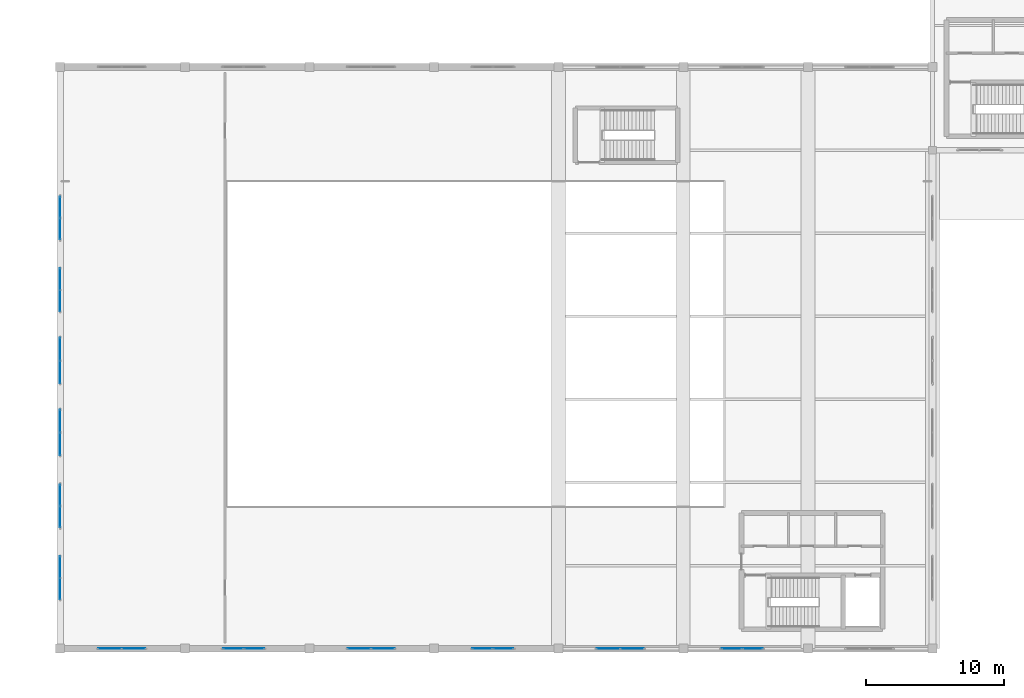
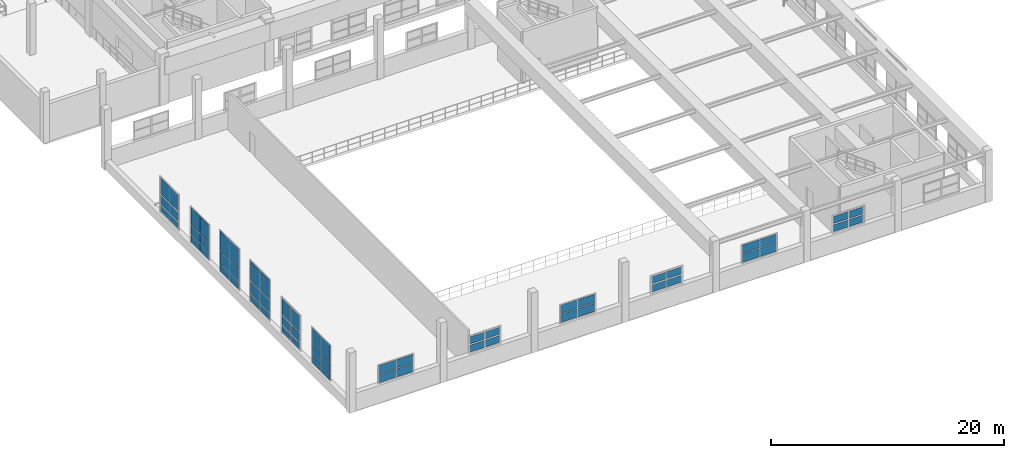
# One storey, part 154 of 197: 60 plates, 12 elements without a shape of their own.
"""IFC4 building model written with IfcOpenShell, lengths in metres."""

import ifcopenshell
import ifcopenshell.guid

model = None  # the IFC model being written
_history = None  # IfcOwnerHistory: only IFC2X3 demands one
_inside = {}  # id of a spatial element -> (the spatial element, [elements in it])
_under = {}  # id of a project, library or spatial element -> (it, [spatial elements below it])
_declared = {}  # id of a project -> (the project, [libraries it declares])
_typed = {}  # id of a type object -> (the type object, [elements of that type])
_made_of = {}  # id of a material, layer set ... -> (it, [elements and type objects made of it])


def new_model(schema):
    """Start an empty IFC model of exactly this schema.

    Asked for "IFC4X3", IfcOpenShell would pick the latest addendum, in which some entities
    have other attributes; the version numbers below select the first issue.
    IFC2X3 requires an IfcOwnerHistory on every rooted entity: one is made here for all.
    """
    global model, _history
    if schema == "IFC4X3":
        model = ifcopenshell.file(schema_version=(4, 3, 0, 0))
    else:
        model = ifcopenshell.file(schema=schema)
    _inside.clear()
    _under.clear()
    _declared.clear()
    _typed.clear()
    _made_of.clear()
    _history = None
    if model.schema == "IFC2X3":
        org = make("IfcOrganization", Name="unknown")
        user = make(
            "IfcPersonAndOrganization",
            ThePerson=make("IfcPerson", FamilyName="unknown"),
            TheOrganization=org,
        )
        app = make(
            "IfcApplication",
            ApplicationDeveloper=org,
            Version="unknown",
            ApplicationFullName="unknown",
            ApplicationIdentifier="unknown",
        )
        _history = make(
            "IfcOwnerHistory",
            OwningUser=user,
            OwningApplication=app,
            ChangeAction="ADDED",
            CreationDate=0,
        )
    return model


def make(cls, **values):
    """One entity of the class cls with the attributes given. An attribute that is None is left unset."""
    return model.create_entity(
        cls, **{name: value for name, value in values.items() if value is not None}
    )


def rooted(cls, **values):
    """An entity with a GlobalId (a new one), such as an element, a storey or a relation."""
    return make(cls, GlobalId=ifcopenshell.guid.new(), OwnerHistory=_history, **values)


def si_unit(unit_type, name, prefix=None):
    """IfcSIUnit, for example si_unit("LENGTHUNIT", "METRE", prefix="MILLI")."""
    return make("IfcSIUnit", UnitType=unit_type, Prefix=prefix, Name=name)


def derived_unit(unit_type, elements):
    """IfcDerivedUnit: a product of units, each with its exponent."""
    return make(
        "IfcDerivedUnit",
        Elements=[
            make("IfcDerivedUnitElement", Unit=unit, Exponent=power)
            for unit, power in elements
        ],
        UnitType=unit_type,
    )


def assignment(units):
    """IfcUnitAssignment: the units of a project."""
    return None if units is None else make("IfcUnitAssignment", Units=units)


def point(xyz):
    """IfcCartesianPoint."""
    return None if xyz is None else make("IfcCartesianPoint", Coordinates=xyz)


def direction(xyz):
    """IfcDirection."""
    return None if xyz is None else make("IfcDirection", DirectionRatios=xyz)


def frame(location, z_axis=None, x_axis=None):
    """IfcAxis2Placement3D, a coordinate frame: its origin and axes. An axis left out is left unset."""
    return make(
        "IfcAxis2Placement3D",
        Location=point(location),
        Axis=direction(z_axis),
        RefDirection=direction(x_axis),
    )


def frame_2d(location, x_axis=None):
    """IfcAxis2Placement2D, a coordinate frame in the plane: its origin and x axis."""
    return make(
        "IfcAxis2Placement2D", Location=point(location), RefDirection=direction(x_axis)
    )


def origin():
    """The frame at (0, 0, 0) with its axes left unset."""
    return frame((0.0, 0.0, 0.0))


def origin_2d():
    """The frame at (0, 0) in the plane with its x axis left unset."""
    return frame_2d((0.0, 0.0))


def place(relative_to, where):
    """IfcLocalPlacement: puts the frame where relative to a parent placement (None: the world)."""
    return make(
        "IfcLocalPlacement", PlacementRelTo=relative_to, RelativePlacement=where
    )


def context(
    kind, dimensions, precision=None, world=None, true_north=None, identifier=None
):
    """IfcGeometricRepresentationContext, for example the 3D "Model" context."""
    return make(
        "IfcGeometricRepresentationContext",
        ContextIdentifier=identifier,
        ContextType=kind,
        CoordinateSpaceDimension=dimensions,
        Precision=precision,
        WorldCoordinateSystem=world,
        TrueNorth=true_north,
    )


def subcontext(parent, identifier, kind, view, scale=None):
    """IfcGeometricRepresentationSubContext, for example "Body" below "Model"."""
    return make(
        "IfcGeometricRepresentationSubContext",
        ContextIdentifier=identifier,
        ContextType=kind,
        ParentContext=parent,
        TargetScale=scale,
        TargetView=view,
    )


def project(units=None, contexts=None):
    """IfcProject with its units and contexts."""
    return rooted(
        "IfcProject",
        Name="project",
        RepresentationContexts=contexts,
        UnitsInContext=assignment(units),
    )


def spatial(cls, under=None, at=None, **own):
    """A site, building, storey or space (cls), placed at a placement, below another one or the project."""
    s = rooted(cls, ObjectPlacement=at, **own)
    if under is not None:
        _under.setdefault(under.id(), (under, []))[1].append(s)
    return s


def profile(cls, at=None, kind="AREA", **sizes):
    """A parametric profile (cls). Its sizes go by their IFC names, for example OverallWidth=200.0."""
    return make(cls, ProfileType=kind, Position=at, **sizes)


def rectangle(**sizes):
    """IfcRectangleProfileDef."""
    return profile("IfcRectangleProfileDef", **sizes)


def extrude(swept, where, along, depth):
    """IfcExtrudedAreaSolid: the profile swept, set in the frame where, extruded along a direction by depth."""
    return make(
        "IfcExtrudedAreaSolid",
        SweptArea=swept,
        Position=where,
        ExtrudedDirection=direction(along),
        Depth=depth,
    )


def shape(context_of_items, identifier, shape_type, items):
    """IfcShapeRepresentation: the items that make up one representation, for example the "Body"."""
    return make(
        "IfcShapeRepresentation",
        ContextOfItems=context_of_items,
        RepresentationIdentifier=identifier,
        RepresentationType=shape_type,
        Items=items,
    )


def material(Name=None, Category=None):
    """IfcMaterial."""
    return make("IfcMaterial", Name=Name, Category=Category)


def layer(
    of_material, thickness, ventilated=None, Name=None, Category=None, Priority=None
):
    """IfcMaterialLayer: one layer of a wall or slab, of a material (None: an air gap)."""
    return make(
        "IfcMaterialLayer",
        Material=of_material,
        LayerThickness=thickness,
        IsVentilated=ventilated,
        Name=Name,
        Category=Category,
        Priority=Priority,
    )


def layer_set(layers, Name=None):
    """IfcMaterialLayerSet."""
    return make("IfcMaterialLayerSet", MaterialLayers=layers, LayerSetName=Name)


def made_of(thing, what):
    """Note that an element or type object is made of a material, layer set ...; save() writes the relation."""
    if what is not None:
        _made_of.setdefault(what.id(), (what, []))[1].append(thing)
    return thing


def type_object(cls, material=None, **own):
    """A type object (cls), such as IfcWallType, which elements share."""
    return made_of(rooted(cls, **own), material)


def element(
    cls,
    number,
    at=None,
    inside=None,
    cuts=None,
    type_object=None,
    material=None,
    context=None,
    identifier="Body",
    shape_type=None,
    held_by="IfcProductDefinitionShape",
    body=None,
    shapes=None,
    **own,
):
    """One element of the class cls, such as IfcWall. Its Tag is "e" and its number.

    at: its placement. inside: the storey or other place that contains it. cuts: it is an
    opening in that element (IfcRelVoidsElement). A single representation is given by context,
    identifier, shape_type and body (its items); several are given by shapes. held_by: the class
    of the entity that holds the representations. save() writes the other relations.
    """
    e = rooted(cls, Tag="e%d" % number, ObjectPlacement=at, **own)
    if body is not None:
        shapes = [shape(context, identifier, shape_type, body)]
    if shapes is not None:
        e.Representation = make(held_by, Representations=shapes)
    if inside is not None:
        _inside.setdefault(inside.id(), (inside, []))[1].append(e)
    if cuts is not None:
        rooted(
            "IfcRelVoidsElement", RelatingBuildingElement=cuts, RelatedOpeningElement=e
        )
    if type_object is not None:
        _typed.setdefault(type_object.id(), (type_object, []))[1].append(e)
    return made_of(e, material)


def aggregate(whole, parts):
    """IfcRelAggregates: a whole, such as a stair, and the parts it consists of."""
    return rooted("IfcRelAggregates", RelatingObject=whole, RelatedObjects=parts)


def save(model, path):
    """Write the relations noted so far, then the file.

    IfcRelAggregates (storeys below a building ...), IfcRelContainedInSpatialStructure (elements
    in a storey), IfcRelDefinesByType, IfcRelAssociatesMaterial and IfcRelDeclares: one each for
    every whole, place, type object, material and project.
    """
    for whole, parts in _under.values():
        aggregate(whole, parts)
    for where, things in _inside.values():
        rooted(
            "IfcRelContainedInSpatialStructure",
            RelatedElements=things,
            RelatingStructure=where,
        )
    for kind, things in _typed.values():
        rooted("IfcRelDefinesByType", RelatedObjects=things, RelatingType=kind)
    for what, things in _made_of.values():
        rooted("IfcRelAssociatesMaterial", RelatedObjects=things, RelatingMaterial=what)
    for by, libraries in _declared.values():
        rooted("IfcRelDeclares", RelatingContext=by, RelatedDefinitions=libraries)
    model.write(path)


model = new_model("IFC4")

# Units and contexts
model_context = context("Model", 3, precision=1e-05, world=origin(), true_north=direction((0.0, 1.0)))
body_context = subcontext(model_context, "Body", "Model", "MODEL_VIEW")
ifc_project = project(units=[si_unit("LENGTHUNIT", "METRE"), si_unit("AREAUNIT", "SQUARE_METRE"), si_unit("VOLUMEUNIT", "CUBIC_METRE"), si_unit("PLANEANGLEUNIT", "RADIAN"), si_unit("MASSUNIT", "GRAM", prefix="KILO"), derived_unit("THERMALTRANSMITTANCEUNIT", [(si_unit("POWERUNIT", "WATT"), 1), (si_unit("LENGTHUNIT", "METRE"), -2), (si_unit("THERMODYNAMICTEMPERATUREUNIT", "KELVIN"), -1)])], contexts=[model_context])

# Site, building, storey
site_placement = place(None, origin())
site = spatial("IfcSite", under=ifc_project, at=site_placement, CompositionType="ELEMENT")
building_placement = place(site_placement, origin())
building = spatial("IfcBuilding", under=site, at=building_placement, Name="Almenara Railside Exhibition Hall", CompositionType="ELEMENT")
storey_placement = place(building_placement, frame((0.0, 0.0, 5.39990234375)))
storey = spatial("IfcBuildingStorey", under=building, at=storey_placement, Name="L01", CompositionType="ELEMENT", Elevation=5.39990234375)

# Curtain wall, plates
ifc_material_1 = material(Name="Bronze-anodised aluminium and low-E double glazing", Category="aluminium")
ifc_layer_1 = layer(ifc_material_1, 0.179931640625, Name="Bronze-anodised aluminium and low-E double glazing")
ifc_layer_set_1 = layer_set([ifc_layer_1], Name="Bronze-anodised aluminium and low-E double glazing")
curtain_wall_type_1 = type_object("IfcCurtainWallType", Name="Plenary Clerestory Curtain Wall 3100x1900", PredefinedType="NOTDEFINED", material=ifc_layer_set_1)
curtain_wall_1_placement = place(storey_placement, origin())
curtain_wall_1 = element("IfcCurtainWall", 1, at=curtain_wall_1_placement, inside=storey, type_object=curtain_wall_type_1, Name="Curtain wall CW-CL6-095", PredefinedType="NOTDEFINED")
ifc_material_2 = material(Name="Solar-control acoustic laminated glazing", Category="glass")
ifc_layer_2 = layer(ifc_material_2, 0.031982421875, Name="Solar-control acoustic laminated glazing")
ifc_layer_set_2 = layer_set([ifc_layer_2], Name="Solar-control acoustic laminated glazing")
plate_type_1 = type_object("IfcPlateType", Name="Acoustic Low-E Double Glazing Panel 32mm", PredefinedType="CURTAIN_PANEL", material=ifc_layer_set_2)
plate_1_placement = place(storey_placement, frame((15.492431640625, 0.0, 1.994140625), z_axis=(0.0, 0.0, 1.0), x_axis=(1.0, 0.0, 0.0)))
plate_1 = element("IfcPlate", 2, at=plate_1_placement, type_object=plate_type_1, Name="CW-CL6-095 panel 1.1", PredefinedType="CURTAIN_PANEL", context=body_context, shape_type="SweptSolid", body=[
    extrude(rectangle(XDim=1.4609375, YDim=0.031982421875, at=origin_2d()), origin(), (0.0, 0.0, 1.0), 0.741943359375),
])
plate_2_placement = place(storey_placement, frame((15.492431640625, 0.0, 2.8642578125), z_axis=(0.0, 0.0, 1.0), x_axis=(1.0, 0.0, 0.0)))
plate_2 = element("IfcPlate", 3, at=plate_2_placement, type_object=plate_type_1, Name="CW-CL6-095 panel 1.2", PredefinedType="CURTAIN_PANEL", context=body_context, shape_type="SweptSolid", body=[
    extrude(rectangle(XDim=1.4609375, YDim=0.031982421875, at=origin_2d()), origin(), (0.0, 0.0, 1.0), 0.741943359375),
])
plate_3_placement = place(storey_placement, frame((17.007568359375, 0.0, 1.994140625), z_axis=(0.0, 0.0, 1.0), x_axis=(1.0, 0.0, 0.0)))
plate_3 = element("IfcPlate", 4, at=plate_3_placement, type_object=plate_type_1, Name="CW-CL6-095 panel 2.1", PredefinedType="CURTAIN_PANEL", context=body_context, shape_type="SweptSolid", body=[
    extrude(rectangle(XDim=1.4609375, YDim=0.031982421875, at=origin_2d()), origin(), (0.0, 0.0, 1.0), 0.741943359375),
])
plate_4_placement = place(storey_placement, frame((17.007568359375, 0.0, 2.8642578125), z_axis=(0.0, 0.0, 1.0), x_axis=(1.0, 0.0, 0.0)))
plate_4 = element("IfcPlate", 5, at=plate_4_placement, type_object=plate_type_1, Name="CW-CL6-095 panel 2.2", PredefinedType="CURTAIN_PANEL", context=body_context, shape_type="SweptSolid", body=[
    extrude(rectangle(XDim=1.4609375, YDim=0.031982421875, at=origin_2d()), origin(), (0.0, 0.0, 1.0), 0.741943359375),
])
aggregate(curtain_wall_1, [plate_1, plate_2, plate_3, plate_4])

ifc_layer_3 = layer(ifc_material_1, 0.179931640625, Name="Bronze-anodised aluminium and low-E double glazing")
ifc_layer_set_3 = layer_set([ifc_layer_3], Name="Bronze-anodised aluminium and low-E double glazing")
curtain_wall_type_2 = type_object("IfcCurtainWallType", Name="Scroll Gable Mid Curtain Wall 3400x4400", PredefinedType="NOTDEFINED", material=ifc_layer_set_3)
curtain_wall_2_placement = place(storey_placement, origin())
curtain_wall_2 = element("IfcCurtainWall", 6, at=curtain_wall_2_placement, inside=storey, type_object=curtain_wall_type_2, Name="Curtain wall CW-G3-110", PredefinedType="NOTDEFINED")
plate_5_placement = place(storey_placement, frame((3.0, 19.965087890625, 1.0439453125), z_axis=(0.0, 0.0, 1.0), x_axis=(0.0, 1.0, 0.0)))
plate_5 = element("IfcPlate", 7, at=plate_5_placement, type_object=plate_type_1, Name="CW-G3-110 panel 1.1", PredefinedType="CURTAIN_PANEL", context=body_context, shape_type="SweptSolid", body=[
    extrude(rectangle(XDim=1.6259765625, YDim=0.031982421875, at=origin_2d()), origin(), (0.0, 0.0, 1.0), 0.717041015625),
])
plate_6_placement = place(storey_placement, frame((3.0, 19.965087890625, 1.839111328125), z_axis=(0.0, 0.0, 1.0), x_axis=(0.0, 1.0, 0.0)))
plate_6 = element("IfcPlate", 8, at=plate_6_placement, type_object=plate_type_1, Name="CW-G3-110 panel 1.2", PredefinedType="CURTAIN_PANEL", context=body_context, shape_type="SweptSolid", body=[
    extrude(rectangle(XDim=1.6259765625, YDim=0.031982421875, at=origin_2d()), origin(), (0.0, 0.0, 1.0), 1.27197265625),
])
plate_7_placement = place(storey_placement, frame((3.0, 19.965087890625, 3.189208984375), z_axis=(0.0, 0.0, 1.0), x_axis=(0.0, 1.0, 0.0)))
plate_7 = element("IfcPlate", 9, at=plate_7_placement, type_object=plate_type_1, Name="CW-G3-110 panel 1.3", PredefinedType="CURTAIN_PANEL", context=body_context, shape_type="SweptSolid", body=[
    extrude(rectangle(XDim=1.6259765625, YDim=0.031982421875, at=origin_2d()), origin(), (0.0, 0.0, 1.0), 2.06689453125),
])
plate_8_placement = place(storey_placement, frame((3.0, 21.635009765625, 1.0439453125), z_axis=(0.0, 0.0, 1.0), x_axis=(0.0, 1.0, 0.0)))
plate_8 = element("IfcPlate", 10, at=plate_8_placement, type_object=plate_type_1, Name="CW-G3-110 panel 2.1", PredefinedType="CURTAIN_PANEL", context=body_context, shape_type="SweptSolid", body=[
    extrude(rectangle(XDim=1.6259765625, YDim=0.031982421875, at=origin_2d()), origin(), (0.0, 0.0, 1.0), 0.717041015625),
])
plate_9_placement = place(storey_placement, frame((3.0, 21.635009765625, 1.839111328125), z_axis=(0.0, 0.0, 1.0), x_axis=(0.0, 1.0, 0.0)))
plate_9 = element("IfcPlate", 11, at=plate_9_placement, type_object=plate_type_1, Name="CW-G3-110 panel 2.2", PredefinedType="CURTAIN_PANEL", context=body_context, shape_type="SweptSolid", body=[
    extrude(rectangle(XDim=1.6259765625, YDim=0.031982421875, at=origin_2d()), origin(), (0.0, 0.0, 1.0), 1.27197265625),
])
plate_10_placement = place(storey_placement, frame((3.0, 21.635009765625, 3.189208984375), z_axis=(0.0, 0.0, 1.0), x_axis=(0.0, 1.0, 0.0)))
plate_10 = element("IfcPlate", 12, at=plate_10_placement, type_object=plate_type_1, Name="CW-G3-110 panel 2.3", PredefinedType="CURTAIN_PANEL", context=body_context, shape_type="SweptSolid", body=[
    extrude(rectangle(XDim=1.6259765625, YDim=0.031982421875, at=origin_2d()), origin(), (0.0, 0.0, 1.0), 2.06689453125),
])
aggregate(curtain_wall_2, [plate_5, plate_6, plate_7, plate_8, plate_9, plate_10])

ifc_layer_4 = layer(ifc_material_1, 0.179931640625, Name="Bronze-anodised aluminium and low-E double glazing")
ifc_layer_set_4 = layer_set([ifc_layer_4], Name="Bronze-anodised aluminium and low-E double glazing")
curtain_wall_type_3 = type_object("IfcCurtainWallType", Name="Plenary Clerestory Curtain Wall 3500x2000", PredefinedType="NOTDEFINED", material=ifc_layer_set_4)
curtain_wall_3_placement = place(storey_placement, origin())
curtain_wall_3 = element("IfcCurtainWall", 13, at=curtain_wall_3_placement, inside=storey, type_object=curtain_wall_type_3, Name="Curtain wall CW-CL5-097", PredefinedType="NOTDEFINED")
ifc_material_3 = material(Name="Clear low-E laminated double glazing", Category="glass")
ifc_layer_5 = layer(ifc_material_3, 0.02392578125, Name="Clear low-E laminated double glazing")
ifc_layer_set_5 = layer_set([ifc_layer_5], Name="Clear low-E laminated double glazing")
plate_type_2 = type_object("IfcPlateType", Name="Courtyard Clear Double Glazing Panel 24mm", PredefinedType="CURTAIN_PANEL", material=ifc_layer_set_5)
plate_11_placement = place(storey_placement, frame((24.590087890625, 0.0, 1.9443359375), z_axis=(0.0, 0.0, 1.0), x_axis=(1.0, 0.0, 0.0)))
plate_11 = element("IfcPlate", 14, at=plate_11_placement, type_object=plate_type_2, Name="CW-CL5-097 panel 1.1", PredefinedType="CURTAIN_PANEL", context=body_context, shape_type="SweptSolid", body=[
    extrude(rectangle(XDim=1.676025390625, YDim=0.02392578125, at=origin_2d()), origin(), (0.0, 0.0, 1.0), 0.866943359375),
])
plate_12_placement = place(storey_placement, frame((24.590087890625, 0.0, 2.88916015625), z_axis=(0.0, 0.0, 1.0), x_axis=(1.0, 0.0, 0.0)))
plate_12 = element("IfcPlate", 15, at=plate_12_placement, type_object=plate_type_2, Name="CW-CL5-097 panel 1.2", PredefinedType="CURTAIN_PANEL", context=body_context, shape_type="SweptSolid", body=[
    extrude(rectangle(XDim=1.676025390625, YDim=0.02392578125, at=origin_2d()), origin(), (0.0, 0.0, 1.0), 0.866943359375),
])
plate_13_placement = place(storey_placement, frame((26.31005859375, 0.0, 1.9443359375), z_axis=(0.0, 0.0, 1.0), x_axis=(1.0, 0.0, 0.0)))
plate_13 = element("IfcPlate", 16, at=plate_13_placement, type_object=plate_type_2, Name="CW-CL5-097 panel 2.1", PredefinedType="CURTAIN_PANEL", context=body_context, shape_type="SweptSolid", body=[
    extrude(rectangle(XDim=1.676025390625, YDim=0.02392578125, at=origin_2d()), origin(), (0.0, 0.0, 1.0), 0.866943359375),
])
plate_14_placement = place(storey_placement, frame((26.31005859375, 0.0, 2.88916015625), z_axis=(0.0, 0.0, 1.0), x_axis=(1.0, 0.0, 0.0)))
plate_14 = element("IfcPlate", 17, at=plate_14_placement, type_object=plate_type_2, Name="CW-CL5-097 panel 2.2", PredefinedType="CURTAIN_PANEL", context=body_context, shape_type="SweptSolid", body=[
    extrude(rectangle(XDim=1.676025390625, YDim=0.02392578125, at=origin_2d()), origin(), (0.0, 0.0, 1.0), 0.866943359375),
])
aggregate(curtain_wall_3, [plate_11, plate_12, plate_13, plate_14])

ifc_layer_6 = layer(ifc_material_1, 0.179931640625, Name="Bronze-anodised aluminium and low-E double glazing")
ifc_layer_set_6 = layer_set([ifc_layer_6], Name="Bronze-anodised aluminium and low-E double glazing")
curtain_wall_type_4 = type_object("IfcCurtainWallType", Name="Scroll Gable Side Curtain Wall 3200x3800", PredefinedType="NOTDEFINED", material=ifc_layer_set_6)
curtain_wall_4_placement = place(storey_placement, origin())
curtain_wall_4 = element("IfcCurtainWall", 18, at=curtain_wall_4_placement, inside=storey, type_object=curtain_wall_type_4, Name="Curtain wall CW-G4-107", PredefinedType="NOTDEFINED")
plate_15_placement = place(storey_placement, frame((3.0, 4.313720703125, 1.024169921875), z_axis=(0.0, 0.0, 1.0), x_axis=(0.0, 1.0, 0.0)))
plate_15 = element("IfcPlate", 19, at=plate_15_placement, type_object=plate_type_2, Name="CW-G4-107 panel 1.1", PredefinedType="CURTAIN_PANEL", context=body_context, shape_type="SweptSolid", body=[
    extrude(rectangle(XDim=1.533447265625, YDim=0.02392578125, at=origin_2d()), origin(), (0.0, 0.0, 1.0), 0.7470703125),
])
plate_16_placement = place(storey_placement, frame((3.0, 4.313720703125, 1.8291015625), z_axis=(0.0, 0.0, 1.0), x_axis=(0.0, 1.0, 0.0)))
plate_16 = element("IfcPlate", 20, at=plate_16_placement, type_object=plate_type_2, Name="CW-G4-107 panel 1.2", PredefinedType="CURTAIN_PANEL", context=body_context, shape_type="SweptSolid", body=[
    extrude(rectangle(XDim=1.533447265625, YDim=0.02392578125, at=origin_2d()), origin(), (0.0, 0.0, 1.0), 0.991943359375),
])
plate_17_placement = place(storey_placement, frame((3.0, 4.313720703125, 2.87890625), z_axis=(0.0, 0.0, 1.0), x_axis=(0.0, 1.0, 0.0)))
plate_17 = element("IfcPlate", 21, at=plate_17_placement, type_object=plate_type_2, Name="CW-G4-107 panel 1.3", PredefinedType="CURTAIN_PANEL", context=body_context, shape_type="SweptSolid", body=[
    extrude(rectangle(XDim=1.533447265625, YDim=0.02392578125, at=origin_2d()), origin(), (0.0, 0.0, 1.0), 1.797119140625),
])
plate_18_placement = place(storey_placement, frame((3.0, 5.88623046875, 1.024169921875), z_axis=(0.0, 0.0, 1.0), x_axis=(0.0, 1.0, 0.0)))
plate_18 = element("IfcPlate", 22, at=plate_18_placement, type_object=plate_type_2, Name="CW-G4-107 panel 2.1", PredefinedType="CURTAIN_PANEL", context=body_context, shape_type="SweptSolid", body=[
    extrude(rectangle(XDim=1.533447265625, YDim=0.02392578125, at=origin_2d()), origin(), (0.0, 0.0, 1.0), 0.7470703125),
])
plate_19_placement = place(storey_placement, frame((3.0, 5.88623046875, 1.8291015625), z_axis=(0.0, 0.0, 1.0), x_axis=(0.0, 1.0, 0.0)))
plate_19 = element("IfcPlate", 23, at=plate_19_placement, type_object=plate_type_2, Name="CW-G4-107 panel 2.2", PredefinedType="CURTAIN_PANEL", context=body_context, shape_type="SweptSolid", body=[
    extrude(rectangle(XDim=1.533447265625, YDim=0.02392578125, at=origin_2d()), origin(), (0.0, 0.0, 1.0), 0.991943359375),
])
plate_20_placement = place(storey_placement, frame((3.0, 5.88623046875, 2.87890625), z_axis=(0.0, 0.0, 1.0), x_axis=(0.0, 1.0, 0.0)))
plate_20 = element("IfcPlate", 24, at=plate_20_placement, type_object=plate_type_2, Name="CW-G4-107 panel 2.3", PredefinedType="CURTAIN_PANEL", context=body_context, shape_type="SweptSolid", body=[
    extrude(rectangle(XDim=1.533447265625, YDim=0.02392578125, at=origin_2d()), origin(), (0.0, 0.0, 1.0), 1.797119140625),
])
aggregate(curtain_wall_4, [plate_15, plate_16, plate_17, plate_18, plate_19, plate_20])

curtain_wall_5_placement = place(storey_placement, origin())
curtain_wall_5 = element("IfcCurtainWall", 25, at=curtain_wall_5_placement, inside=storey, type_object=curtain_wall_type_4, Name="Curtain wall CW-G4-112", PredefinedType="NOTDEFINED")
plate_21_placement = place(storey_placement, frame((3.0, 30.3173828125, 1.093994140625), z_axis=(0.0, 0.0, 1.0), x_axis=(0.0, 1.0, 0.0)))
plate_21 = element("IfcPlate", 26, at=plate_21_placement, type_object=plate_type_2, Name="CW-G4-112 panel 1.1", PredefinedType="CURTAIN_PANEL", context=body_context, shape_type="SweptSolid", body=[
    extrude(rectangle(XDim=1.510986328125, YDim=0.02392578125, at=origin_2d()), origin(), (0.0, 0.0, 1.0), 0.64208984375),
])
plate_22_placement = place(storey_placement, frame((3.0, 30.3173828125, 1.8642578125), z_axis=(0.0, 0.0, 1.0), x_axis=(0.0, 1.0, 0.0)))
plate_22 = element("IfcPlate", 27, at=plate_22_placement, type_object=plate_type_2, Name="CW-G4-112 panel 1.2", PredefinedType="CURTAIN_PANEL", context=body_context, shape_type="SweptSolid", body=[
    extrude(rectangle(XDim=1.510986328125, YDim=0.02392578125, at=origin_2d()), origin(), (0.0, 0.0, 1.0), 0.922119140625),
])
plate_23_placement = place(storey_placement, frame((3.0, 30.3173828125, 2.9140625), z_axis=(0.0, 0.0, 1.0), x_axis=(0.0, 1.0, 0.0)))
plate_23 = element("IfcPlate", 28, at=plate_23_placement, type_object=plate_type_2, Name="CW-G4-112 panel 1.3", PredefinedType="CURTAIN_PANEL", context=body_context, shape_type="SweptSolid", body=[
    extrude(rectangle(XDim=1.510986328125, YDim=0.02392578125, at=origin_2d()), origin(), (0.0, 0.0, 1.0), 1.69189453125),
])
plate_24_placement = place(storey_placement, frame((3.0, 31.882568359375, 1.093994140625), z_axis=(0.0, 0.0, 1.0), x_axis=(0.0, 1.0, 0.0)))
plate_24 = element("IfcPlate", 29, at=plate_24_placement, type_object=plate_type_2, Name="CW-G4-112 panel 2.1", PredefinedType="CURTAIN_PANEL", context=body_context, shape_type="SweptSolid", body=[
    extrude(rectangle(XDim=1.510986328125, YDim=0.02392578125, at=origin_2d()), origin(), (0.0, 0.0, 1.0), 0.64208984375),
])
plate_25_placement = place(storey_placement, frame((3.0, 31.882568359375, 1.8642578125), z_axis=(0.0, 0.0, 1.0), x_axis=(0.0, 1.0, 0.0)))
plate_25 = element("IfcPlate", 30, at=plate_25_placement, type_object=plate_type_2, Name="CW-G4-112 panel 2.2", PredefinedType="CURTAIN_PANEL", context=body_context, shape_type="SweptSolid", body=[
    extrude(rectangle(XDim=1.510986328125, YDim=0.02392578125, at=origin_2d()), origin(), (0.0, 0.0, 1.0), 0.922119140625),
])
plate_26_placement = place(storey_placement, frame((3.0, 31.882568359375, 2.9140625), z_axis=(0.0, 0.0, 1.0), x_axis=(0.0, 1.0, 0.0)))
plate_26 = element("IfcPlate", 31, at=plate_26_placement, type_object=plate_type_2, Name="CW-G4-112 panel 2.3", PredefinedType="CURTAIN_PANEL", context=body_context, shape_type="SweptSolid", body=[
    extrude(rectangle(XDim=1.510986328125, YDim=0.02392578125, at=origin_2d()), origin(), (0.0, 0.0, 1.0), 1.69189453125),
])
aggregate(curtain_wall_5, [plate_21, plate_22, plate_23, plate_24, plate_25, plate_26])

curtain_wall_6_placement = place(storey_placement, origin())
curtain_wall_6 = element("IfcCurtainWall", 32, at=curtain_wall_6_placement, inside=storey, type_object=curtain_wall_type_3, Name="Curtain wall CW-CL5-093", PredefinedType="NOTDEFINED")
ifc_material_4 = material(Name="Bronze-anodised insulated aluminium spandrel", Category="aluminium")
ifc_layer_7 = layer(ifc_material_4, 0.0400390625, Name="Bronze-anodised insulated aluminium spandrel")
ifc_layer_set_7 = layer_set([ifc_layer_7], Name="Bronze-anodised insulated aluminium spandrel")
plate_type_3 = type_object("IfcPlateType", Name="Insulated Bronze Spandrel Panel 40mm", PredefinedType="CURTAIN_PANEL", material=ifc_layer_set_7)
plate_27_placement = place(storey_placement, frame((6.590087890625, 0.0, 1.9443359375), z_axis=(0.0, 0.0, 1.0), x_axis=(1.0, 0.0, 0.0)))
plate_27 = element("IfcPlate", 33, at=plate_27_placement, type_object=plate_type_3, Name="CW-CL5-093 panel 1.1", PredefinedType="CURTAIN_PANEL", context=body_context, shape_type="SweptSolid", body=[
    extrude(rectangle(XDim=1.676025390625, YDim=0.0400390625, at=origin_2d()), origin(), (0.0, 0.0, 1.0), 0.866943359375),
])
plate_28_placement = place(storey_placement, frame((6.590087890625, 0.0, 2.88916015625), z_axis=(0.0, 0.0, 1.0), x_axis=(1.0, 0.0, 0.0)))
plate_28 = element("IfcPlate", 34, at=plate_28_placement, type_object=plate_type_3, Name="CW-CL5-093 panel 1.2", PredefinedType="CURTAIN_PANEL", context=body_context, shape_type="SweptSolid", body=[
    extrude(rectangle(XDim=1.676025390625, YDim=0.0400390625, at=origin_2d()), origin(), (0.0, 0.0, 1.0), 0.866943359375),
])
plate_29_placement = place(storey_placement, frame((8.31005859375, 0.0, 1.9443359375), z_axis=(0.0, 0.0, 1.0), x_axis=(1.0, 0.0, 0.0)))
plate_29 = element("IfcPlate", 35, at=plate_29_placement, type_object=plate_type_3, Name="CW-CL5-093 panel 2.1", PredefinedType="CURTAIN_PANEL", context=body_context, shape_type="SweptSolid", body=[
    extrude(rectangle(XDim=1.676025390625, YDim=0.0400390625, at=origin_2d()), origin(), (0.0, 0.0, 1.0), 0.866943359375),
])
plate_30_placement = place(storey_placement, frame((8.31005859375, 0.0, 2.88916015625), z_axis=(0.0, 0.0, 1.0), x_axis=(1.0, 0.0, 0.0)))
plate_30 = element("IfcPlate", 36, at=plate_30_placement, type_object=plate_type_3, Name="CW-CL5-093 panel 2.2", PredefinedType="CURTAIN_PANEL", context=body_context, shape_type="SweptSolid", body=[
    extrude(rectangle(XDim=1.676025390625, YDim=0.0400390625, at=origin_2d()), origin(), (0.0, 0.0, 1.0), 0.866943359375),
])
aggregate(curtain_wall_6, [plate_27, plate_28, plate_29, plate_30])

curtain_wall_7_placement = place(storey_placement, origin())
curtain_wall_7 = element("IfcCurtainWall", 37, at=curtain_wall_7_placement, inside=storey, type_object=curtain_wall_type_1, Name="Curtain wall CW-CL6-103", PredefinedType="NOTDEFINED")
plate_31_placement = place(storey_placement, frame((51.492431640625, 0.0, 1.994140625), z_axis=(0.0, 0.0, 1.0), x_axis=(1.0, 0.0, 0.0)))
plate_31 = element("IfcPlate", 38, at=plate_31_placement, type_object=plate_type_3, Name="CW-CL6-103 panel 1.1", PredefinedType="CURTAIN_PANEL", context=body_context, shape_type="SweptSolid", body=[
    extrude(rectangle(XDim=1.4609375, YDim=0.0400390625, at=origin_2d()), origin(), (0.0, 0.0, 1.0), 0.741943359375),
])
plate_32_placement = place(storey_placement, frame((51.492431640625, 0.0, 2.8642578125), z_axis=(0.0, 0.0, 1.0), x_axis=(1.0, 0.0, 0.0)))
plate_32 = element("IfcPlate", 39, at=plate_32_placement, type_object=plate_type_3, Name="CW-CL6-103 panel 1.2", PredefinedType="CURTAIN_PANEL", context=body_context, shape_type="SweptSolid", body=[
    extrude(rectangle(XDim=1.4609375, YDim=0.0400390625, at=origin_2d()), origin(), (0.0, 0.0, 1.0), 0.741943359375),
])
plate_33_placement = place(storey_placement, frame((53.007568359375, 0.0, 1.994140625), z_axis=(0.0, 0.0, 1.0), x_axis=(1.0, 0.0, 0.0)))
plate_33 = element("IfcPlate", 40, at=plate_33_placement, type_object=plate_type_3, Name="CW-CL6-103 panel 2.1", PredefinedType="CURTAIN_PANEL", context=body_context, shape_type="SweptSolid", body=[
    extrude(rectangle(XDim=1.4609375, YDim=0.0400390625, at=origin_2d()), origin(), (0.0, 0.0, 1.0), 0.741943359375),
])
plate_34_placement = place(storey_placement, frame((53.007568359375, 0.0, 2.8642578125), z_axis=(0.0, 0.0, 1.0), x_axis=(1.0, 0.0, 0.0)))
plate_34 = element("IfcPlate", 41, at=plate_34_placement, type_object=plate_type_3, Name="CW-CL6-103 panel 2.2", PredefinedType="CURTAIN_PANEL", context=body_context, shape_type="SweptSolid", body=[
    extrude(rectangle(XDim=1.4609375, YDim=0.0400390625, at=origin_2d()), origin(), (0.0, 0.0, 1.0), 0.741943359375),
])
aggregate(curtain_wall_7, [plate_31, plate_32, plate_33, plate_34])

curtain_wall_8_placement = place(storey_placement, origin())
curtain_wall_8 = element("IfcCurtainWall", 42, at=curtain_wall_8_placement, inside=storey, type_object=curtain_wall_type_4, Name="Curtain wall CW-G4-108", PredefinedType="NOTDEFINED")
plate_35_placement = place(storey_placement, frame((3.0, 9.517578125, 1.093994140625), z_axis=(0.0, 0.0, 1.0), x_axis=(0.0, 1.0, 0.0)))
plate_35 = element("IfcPlate", 43, at=plate_35_placement, type_object=plate_type_3, Name="CW-G4-108 panel 1.1", PredefinedType="CURTAIN_PANEL", context=body_context, shape_type="SweptSolid", body=[
    extrude(rectangle(XDim=1.510986328125, YDim=0.0400390625, at=origin_2d()), origin(), (0.0, 0.0, 1.0), 0.64208984375),
])
plate_36_placement = place(storey_placement, frame((3.0, 9.517578125, 1.8642578125), z_axis=(0.0, 0.0, 1.0), x_axis=(0.0, 1.0, 0.0)))
plate_36 = element("IfcPlate", 44, at=plate_36_placement, type_object=plate_type_3, Name="CW-G4-108 panel 1.2", PredefinedType="CURTAIN_PANEL", context=body_context, shape_type="SweptSolid", body=[
    extrude(rectangle(XDim=1.510986328125, YDim=0.0400390625, at=origin_2d()), origin(), (0.0, 0.0, 1.0), 0.922119140625),
])
plate_37_placement = place(storey_placement, frame((3.0, 9.517578125, 2.9140625), z_axis=(0.0, 0.0, 1.0), x_axis=(0.0, 1.0, 0.0)))
plate_37 = element("IfcPlate", 45, at=plate_37_placement, type_object=plate_type_3, Name="CW-G4-108 panel 1.3", PredefinedType="CURTAIN_PANEL", context=body_context, shape_type="SweptSolid", body=[
    extrude(rectangle(XDim=1.510986328125, YDim=0.0400390625, at=origin_2d()), origin(), (0.0, 0.0, 1.0), 1.69189453125),
])
plate_38_placement = place(storey_placement, frame((3.0, 11.08251953125, 1.093994140625), z_axis=(0.0, 0.0, 1.0), x_axis=(0.0, 1.0, 0.0)))
plate_38 = element("IfcPlate", 46, at=plate_38_placement, type_object=plate_type_3, Name="CW-G4-108 panel 2.1", PredefinedType="CURTAIN_PANEL", context=body_context, shape_type="SweptSolid", body=[
    extrude(rectangle(XDim=1.510986328125, YDim=0.0400390625, at=origin_2d()), origin(), (0.0, 0.0, 1.0), 0.64208984375),
])
plate_39_placement = place(storey_placement, frame((3.0, 11.08251953125, 1.8642578125), z_axis=(0.0, 0.0, 1.0), x_axis=(0.0, 1.0, 0.0)))
plate_39 = element("IfcPlate", 47, at=plate_39_placement, type_object=plate_type_3, Name="CW-G4-108 panel 2.2", PredefinedType="CURTAIN_PANEL", context=body_context, shape_type="SweptSolid", body=[
    extrude(rectangle(XDim=1.510986328125, YDim=0.0400390625, at=origin_2d()), origin(), (0.0, 0.0, 1.0), 0.922119140625),
])
plate_40_placement = place(storey_placement, frame((3.0, 11.08251953125, 2.9140625), z_axis=(0.0, 0.0, 1.0), x_axis=(0.0, 1.0, 0.0)))
plate_40 = element("IfcPlate", 48, at=plate_40_placement, type_object=plate_type_3, Name="CW-G4-108 panel 2.3", PredefinedType="CURTAIN_PANEL", context=body_context, shape_type="SweptSolid", body=[
    extrude(rectangle(XDim=1.510986328125, YDim=0.0400390625, at=origin_2d()), origin(), (0.0, 0.0, 1.0), 1.69189453125),
])
aggregate(curtain_wall_8, [plate_35, plate_36, plate_37, plate_38, plate_39, plate_40])

curtain_wall_9_placement = place(storey_placement, origin())
curtain_wall_9 = element("IfcCurtainWall", 49, at=curtain_wall_9_placement, inside=storey, type_object=curtain_wall_type_1, Name="Curtain wall CW-CL6-099", PredefinedType="NOTDEFINED")
ifc_layer_8 = layer(ifc_material_4, 0.034912109375, Name="Bronze-anodised insulated aluminium spandrel")
ifc_layer_set_8 = layer_set([ifc_layer_8], Name="Bronze-anodised insulated aluminium spandrel")
plate_type_4 = type_object("IfcPlateType", Name="Insulated Stucco-Tone Spandrel Panel 35mm", PredefinedType="CURTAIN_PANEL", material=ifc_layer_set_8)
plate_41_placement = place(storey_placement, frame((33.492431640625, 0.0, 1.994140625), z_axis=(0.0, 0.0, 1.0), x_axis=(1.0, 0.0, 0.0)))
plate_41 = element("IfcPlate", 50, at=plate_41_placement, type_object=plate_type_4, Name="CW-CL6-099 panel 1.1", PredefinedType="CURTAIN_PANEL", context=body_context, shape_type="SweptSolid", body=[
    extrude(rectangle(XDim=1.4609375, YDim=0.034912109375, at=origin_2d()), origin(), (0.0, 0.0, 1.0), 0.741943359375),
])
plate_42_placement = place(storey_placement, frame((33.492431640625, 0.0, 2.8642578125), z_axis=(0.0, 0.0, 1.0), x_axis=(1.0, 0.0, 0.0)))
plate_42 = element("IfcPlate", 51, at=plate_42_placement, type_object=plate_type_4, Name="CW-CL6-099 panel 1.2", PredefinedType="CURTAIN_PANEL", context=body_context, shape_type="SweptSolid", body=[
    extrude(rectangle(XDim=1.4609375, YDim=0.034912109375, at=origin_2d()), origin(), (0.0, 0.0, 1.0), 0.741943359375),
])
plate_43_placement = place(storey_placement, frame((35.007568359375, 0.0, 1.994140625), z_axis=(0.0, 0.0, 1.0), x_axis=(1.0, 0.0, 0.0)))
plate_43 = element("IfcPlate", 52, at=plate_43_placement, type_object=plate_type_4, Name="CW-CL6-099 panel 2.1", PredefinedType="CURTAIN_PANEL", context=body_context, shape_type="SweptSolid", body=[
    extrude(rectangle(XDim=1.4609375, YDim=0.034912109375, at=origin_2d()), origin(), (0.0, 0.0, 1.0), 0.741943359375),
])
plate_44_placement = place(storey_placement, frame((35.007568359375, 0.0, 2.8642578125), z_axis=(0.0, 0.0, 1.0), x_axis=(1.0, 0.0, 0.0)))
plate_44 = element("IfcPlate", 53, at=plate_44_placement, type_object=plate_type_4, Name="CW-CL6-099 panel 2.2", PredefinedType="CURTAIN_PANEL", context=body_context, shape_type="SweptSolid", body=[
    extrude(rectangle(XDim=1.4609375, YDim=0.034912109375, at=origin_2d()), origin(), (0.0, 0.0, 1.0), 0.741943359375),
])
aggregate(curtain_wall_9, [plate_41, plate_42, plate_43, plate_44])

curtain_wall_10_placement = place(storey_placement, origin())
curtain_wall_10 = element("IfcCurtainWall", 54, at=curtain_wall_10_placement, inside=storey, type_object=curtain_wall_type_2, Name="Curtain wall CW-G3-109", PredefinedType="NOTDEFINED")
plate_45_placement = place(storey_placement, frame((3.0, 14.766357421875, 1.07421875), z_axis=(0.0, 0.0, 1.0), x_axis=(0.0, 1.0, 0.0)))
plate_45 = element("IfcPlate", 55, at=plate_45_placement, type_object=plate_type_4, Name="CW-G3-109 panel 1.1", PredefinedType="CURTAIN_PANEL", context=body_context, shape_type="SweptSolid", body=[
    extrude(rectangle(XDim=1.618408203125, YDim=0.034912109375, at=origin_2d()), origin(), (0.0, 0.0, 1.0), 0.672119140625),
])
plate_46_placement = place(storey_placement, frame((3.0, 14.766357421875, 1.85400390625), z_axis=(0.0, 0.0, 1.0), x_axis=(0.0, 1.0, 0.0)))
plate_46 = element("IfcPlate", 56, at=plate_46_placement, type_object=plate_type_4, Name="CW-G3-109 panel 1.2", PredefinedType="CURTAIN_PANEL", context=body_context, shape_type="SweptSolid", body=[
    extrude(rectangle(XDim=1.618408203125, YDim=0.034912109375, at=origin_2d()), origin(), (0.0, 0.0, 1.0), 1.241943359375),
])
plate_47_placement = place(storey_placement, frame((3.0, 14.766357421875, 3.2041015625), z_axis=(0.0, 0.0, 1.0), x_axis=(0.0, 1.0, 0.0)))
plate_47 = element("IfcPlate", 57, at=plate_47_placement, type_object=plate_type_4, Name="CW-G3-109 panel 1.3", PredefinedType="CURTAIN_PANEL", context=body_context, shape_type="SweptSolid", body=[
    extrude(rectangle(XDim=1.618408203125, YDim=0.034912109375, at=origin_2d()), origin(), (0.0, 0.0, 1.0), 2.02197265625),
])
plate_48_placement = place(storey_placement, frame((3.0, 16.433837890625, 1.07421875), z_axis=(0.0, 0.0, 1.0), x_axis=(0.0, 1.0, 0.0)))
plate_48 = element("IfcPlate", 58, at=plate_48_placement, type_object=plate_type_4, Name="CW-G3-109 panel 2.1", PredefinedType="CURTAIN_PANEL", context=body_context, shape_type="SweptSolid", body=[
    extrude(rectangle(XDim=1.618408203125, YDim=0.034912109375, at=origin_2d()), origin(), (0.0, 0.0, 1.0), 0.672119140625),
])
plate_49_placement = place(storey_placement, frame((3.0, 16.433837890625, 1.85400390625), z_axis=(0.0, 0.0, 1.0), x_axis=(0.0, 1.0, 0.0)))
plate_49 = element("IfcPlate", 59, at=plate_49_placement, type_object=plate_type_4, Name="CW-G3-109 panel 2.2", PredefinedType="CURTAIN_PANEL", context=body_context, shape_type="SweptSolid", body=[
    extrude(rectangle(XDim=1.618408203125, YDim=0.034912109375, at=origin_2d()), origin(), (0.0, 0.0, 1.0), 1.241943359375),
])
plate_50_placement = place(storey_placement, frame((3.0, 16.433837890625, 3.2041015625), z_axis=(0.0, 0.0, 1.0), x_axis=(0.0, 1.0, 0.0)))
plate_50 = element("IfcPlate", 60, at=plate_50_placement, type_object=plate_type_4, Name="CW-G3-109 panel 2.3", PredefinedType="CURTAIN_PANEL", context=body_context, shape_type="SweptSolid", body=[
    extrude(rectangle(XDim=1.618408203125, YDim=0.034912109375, at=origin_2d()), origin(), (0.0, 0.0, 1.0), 2.02197265625),
])
aggregate(curtain_wall_10, [plate_45, plate_46, plate_47, plate_48, plate_49, plate_50])

curtain_wall_11_placement = place(storey_placement, origin())
curtain_wall_11 = element("IfcCurtainWall", 61, at=curtain_wall_11_placement, inside=storey, type_object=curtain_wall_type_3, Name="Curtain wall CW-CL5-101", PredefinedType="NOTDEFINED")
ifc_material_5 = material(Name="Solar-control low-E laminated double glazing", Category="glass")
ifc_layer_9 = layer(ifc_material_5, 0.028076171875, Name="Solar-control low-E laminated double glazing")
ifc_layer_set_9 = layer_set([ifc_layer_9], Name="Solar-control low-E laminated double glazing")
plate_type_5 = type_object("IfcPlateType", Name="Low-E Solar Control Double Glazing Panel 28mm", PredefinedType="CURTAIN_PANEL", material=ifc_layer_set_9)
plate_51_placement = place(storey_placement, frame((42.590087890625, 0.0, 1.9443359375), z_axis=(0.0, 0.0, 1.0), x_axis=(1.0, 0.0, 0.0)))
plate_51 = element("IfcPlate", 62, at=plate_51_placement, type_object=plate_type_5, Name="CW-CL5-101 panel 1.1", PredefinedType="CURTAIN_PANEL", context=body_context, shape_type="SweptSolid", body=[
    extrude(rectangle(XDim=1.676025390625, YDim=0.028076171875, at=origin_2d()), origin(), (0.0, 0.0, 1.0), 0.866943359375),
])
plate_52_placement = place(storey_placement, frame((42.590087890625, 0.0, 2.88916015625), z_axis=(0.0, 0.0, 1.0), x_axis=(1.0, 0.0, 0.0)))
plate_52 = element("IfcPlate", 63, at=plate_52_placement, type_object=plate_type_5, Name="CW-CL5-101 panel 1.2", PredefinedType="CURTAIN_PANEL", context=body_context, shape_type="SweptSolid", body=[
    extrude(rectangle(XDim=1.676025390625, YDim=0.028076171875, at=origin_2d()), origin(), (0.0, 0.0, 1.0), 0.866943359375),
])
plate_53_placement = place(storey_placement, frame((44.31005859375, 0.0, 1.9443359375), z_axis=(0.0, 0.0, 1.0), x_axis=(1.0, 0.0, 0.0)))
plate_53 = element("IfcPlate", 64, at=plate_53_placement, type_object=plate_type_5, Name="CW-CL5-101 panel 2.1", PredefinedType="CURTAIN_PANEL", context=body_context, shape_type="SweptSolid", body=[
    extrude(rectangle(XDim=1.676025390625, YDim=0.028076171875, at=origin_2d()), origin(), (0.0, 0.0, 1.0), 0.866943359375),
])
plate_54_placement = place(storey_placement, frame((44.31005859375, 0.0, 2.88916015625), z_axis=(0.0, 0.0, 1.0), x_axis=(1.0, 0.0, 0.0)))
plate_54 = element("IfcPlate", 65, at=plate_54_placement, type_object=plate_type_5, Name="CW-CL5-101 panel 2.2", PredefinedType="CURTAIN_PANEL", context=body_context, shape_type="SweptSolid", body=[
    extrude(rectangle(XDim=1.676025390625, YDim=0.028076171875, at=origin_2d()), origin(), (0.0, 0.0, 1.0), 0.866943359375),
])
aggregate(curtain_wall_11, [plate_51, plate_52, plate_53, plate_54])

curtain_wall_12_placement = place(storey_placement, origin())
curtain_wall_12 = element("IfcCurtainWall", 66, at=curtain_wall_12_placement, inside=storey, type_object=curtain_wall_type_4, Name="Curtain wall CW-G4-111", PredefinedType="NOTDEFINED")
plate_55_placement = place(storey_placement, frame((3.0, 25.11376953125, 1.024169921875), z_axis=(0.0, 0.0, 1.0), x_axis=(0.0, 1.0, 0.0)))
plate_55 = element("IfcPlate", 67, at=plate_55_placement, type_object=plate_type_5, Name="CW-G4-111 panel 1.1", PredefinedType="CURTAIN_PANEL", context=body_context, shape_type="SweptSolid", body=[
    extrude(rectangle(XDim=1.533447265625, YDim=0.028076171875, at=origin_2d()), origin(), (0.0, 0.0, 1.0), 0.7470703125),
])
plate_56_placement = place(storey_placement, frame((3.0, 25.11376953125, 1.8291015625), z_axis=(0.0, 0.0, 1.0), x_axis=(0.0, 1.0, 0.0)))
plate_56 = element("IfcPlate", 68, at=plate_56_placement, type_object=plate_type_5, Name="CW-G4-111 panel 1.2", PredefinedType="CURTAIN_PANEL", context=body_context, shape_type="SweptSolid", body=[
    extrude(rectangle(XDim=1.533447265625, YDim=0.028076171875, at=origin_2d()), origin(), (0.0, 0.0, 1.0), 0.991943359375),
])
plate_57_placement = place(storey_placement, frame((3.0, 25.11376953125, 2.87890625), z_axis=(0.0, 0.0, 1.0), x_axis=(0.0, 1.0, 0.0)))
plate_57 = element("IfcPlate", 69, at=plate_57_placement, type_object=plate_type_5, Name="CW-G4-111 panel 1.3", PredefinedType="CURTAIN_PANEL", context=body_context, shape_type="SweptSolid", body=[
    extrude(rectangle(XDim=1.533447265625, YDim=0.028076171875, at=origin_2d()), origin(), (0.0, 0.0, 1.0), 1.797119140625),
])
plate_58_placement = place(storey_placement, frame((3.0, 26.686279296875, 1.024169921875), z_axis=(0.0, 0.0, 1.0), x_axis=(0.0, 1.0, 0.0)))
plate_58 = element("IfcPlate", 70, at=plate_58_placement, type_object=plate_type_5, Name="CW-G4-111 panel 2.1", PredefinedType="CURTAIN_PANEL", context=body_context, shape_type="SweptSolid", body=[
    extrude(rectangle(XDim=1.533447265625, YDim=0.028076171875, at=origin_2d()), origin(), (0.0, 0.0, 1.0), 0.7470703125),
])
plate_59_placement = place(storey_placement, frame((3.0, 26.686279296875, 1.8291015625), z_axis=(0.0, 0.0, 1.0), x_axis=(0.0, 1.0, 0.0)))
plate_59 = element("IfcPlate", 71, at=plate_59_placement, type_object=plate_type_5, Name="CW-G4-111 panel 2.2", PredefinedType="CURTAIN_PANEL", context=body_context, shape_type="SweptSolid", body=[
    extrude(rectangle(XDim=1.533447265625, YDim=0.028076171875, at=origin_2d()), origin(), (0.0, 0.0, 1.0), 0.991943359375),
])
plate_60_placement = place(storey_placement, frame((3.0, 26.686279296875, 2.87890625), z_axis=(0.0, 0.0, 1.0), x_axis=(0.0, 1.0, 0.0)))
plate_60 = element("IfcPlate", 72, at=plate_60_placement, type_object=plate_type_5, Name="CW-G4-111 panel 2.3", PredefinedType="CURTAIN_PANEL", context=body_context, shape_type="SweptSolid", body=[
    extrude(rectangle(XDim=1.533447265625, YDim=0.028076171875, at=origin_2d()), origin(), (0.0, 0.0, 1.0), 1.797119140625),
])
aggregate(curtain_wall_12, [plate_55, plate_56, plate_57, plate_58, plate_59, plate_60])

save(model, "model.ifc")
